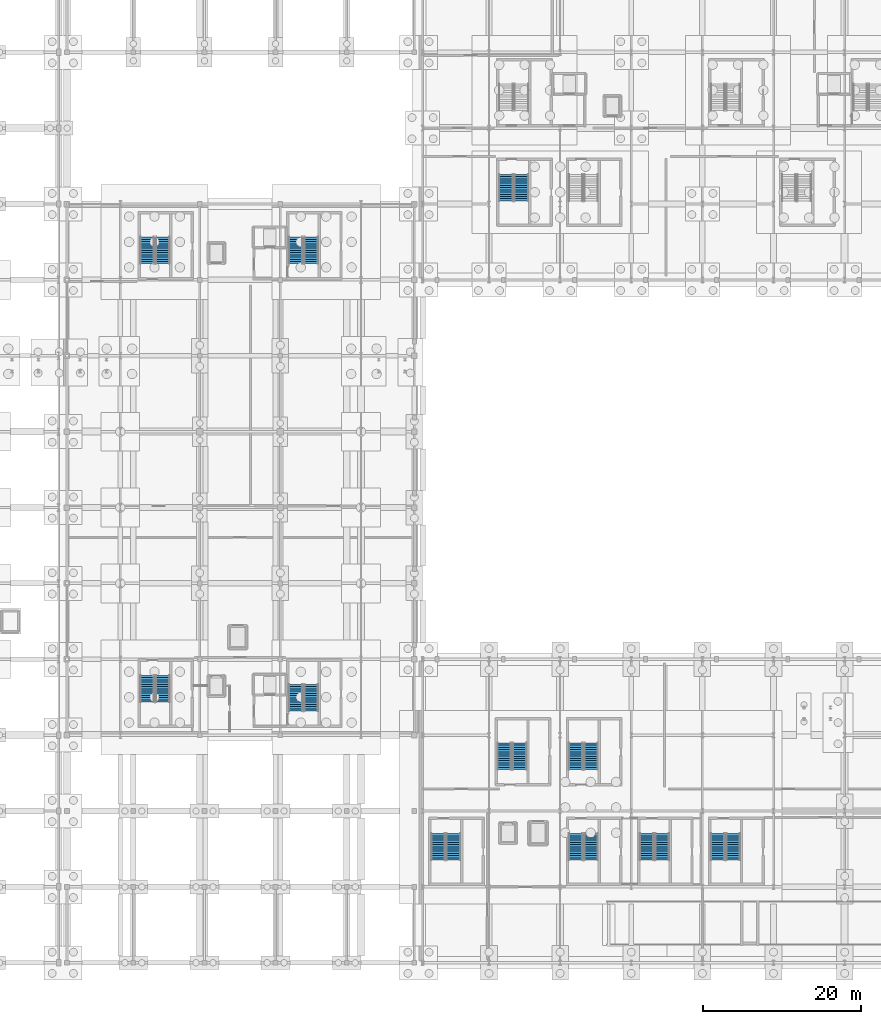
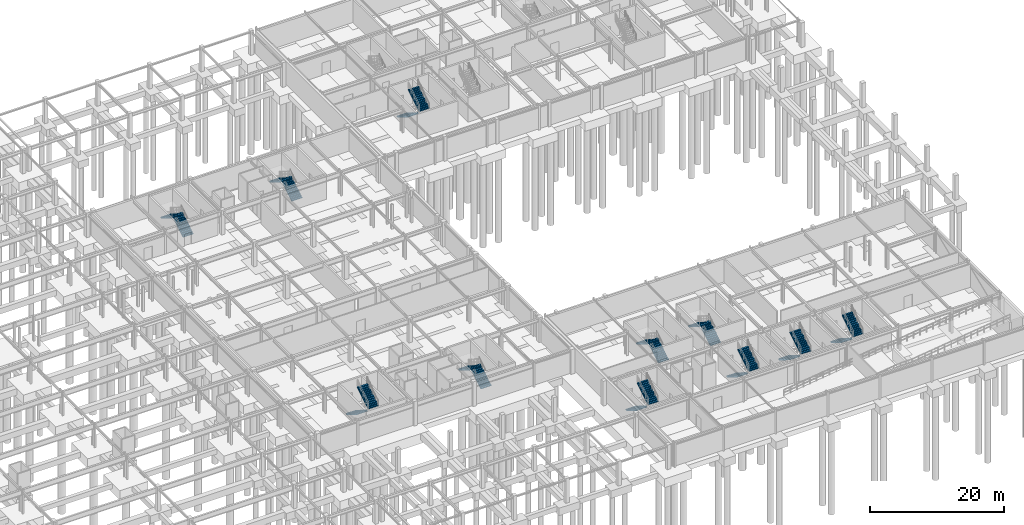
# One storey, part 47 of 59: 22 stair flights, 11 elements without a shape of their own.
"""IFC4 building model written with IfcOpenShell, lengths in metres."""

import ifcopenshell
import ifcopenshell.guid

model = None  # the IFC model being written
_history = None  # IfcOwnerHistory: only IFC2X3 demands one
_inside = {}  # id of a spatial element -> (the spatial element, [elements in it])
_under = {}  # id of a project, library or spatial element -> (it, [spatial elements below it])
_declared = {}  # id of a project -> (the project, [libraries it declares])
_typed = {}  # id of a type object -> (the type object, [elements of that type])
_made_of = {}  # id of a material, layer set ... -> (it, [elements and type objects made of it])


def new_model(schema):
    """Start an empty IFC model of exactly this schema.

    Asked for "IFC4X3", IfcOpenShell would pick the latest addendum, in which some entities
    have other attributes; the version numbers below select the first issue.
    IFC2X3 requires an IfcOwnerHistory on every rooted entity: one is made here for all.
    """
    global model, _history
    if schema == "IFC4X3":
        model = ifcopenshell.file(schema_version=(4, 3, 0, 0))
    else:
        model = ifcopenshell.file(schema=schema)
    _inside.clear()
    _under.clear()
    _declared.clear()
    _typed.clear()
    _made_of.clear()
    _history = None
    if model.schema == "IFC2X3":
        org = make("IfcOrganization", Name="unknown")
        user = make(
            "IfcPersonAndOrganization",
            ThePerson=make("IfcPerson", FamilyName="unknown"),
            TheOrganization=org,
        )
        app = make(
            "IfcApplication",
            ApplicationDeveloper=org,
            Version="unknown",
            ApplicationFullName="unknown",
            ApplicationIdentifier="unknown",
        )
        _history = make(
            "IfcOwnerHistory",
            OwningUser=user,
            OwningApplication=app,
            ChangeAction="ADDED",
            CreationDate=0,
        )
    return model


def make(cls, **values):
    """One entity of the class cls with the attributes given. An attribute that is None is left unset."""
    return model.create_entity(
        cls, **{name: value for name, value in values.items() if value is not None}
    )


def rooted(cls, **values):
    """An entity with a GlobalId (a new one), such as an element, a storey or a relation."""
    return make(cls, GlobalId=ifcopenshell.guid.new(), OwnerHistory=_history, **values)


def si_unit(unit_type, name, prefix=None):
    """IfcSIUnit, for example si_unit("LENGTHUNIT", "METRE", prefix="MILLI")."""
    return make("IfcSIUnit", UnitType=unit_type, Prefix=prefix, Name=name)


def assignment(units):
    """IfcUnitAssignment: the units of a project."""
    return None if units is None else make("IfcUnitAssignment", Units=units)


def point(xyz):
    """IfcCartesianPoint."""
    return None if xyz is None else make("IfcCartesianPoint", Coordinates=xyz)


def direction(xyz):
    """IfcDirection."""
    return None if xyz is None else make("IfcDirection", DirectionRatios=xyz)


def frame(location, z_axis=None, x_axis=None):
    """IfcAxis2Placement3D, a coordinate frame: its origin and axes. An axis left out is left unset."""
    return make(
        "IfcAxis2Placement3D",
        Location=point(location),
        Axis=direction(z_axis),
        RefDirection=direction(x_axis),
    )


def origin():
    """The frame at (0, 0, 0) with its axes left unset."""
    return frame((0.0, 0.0, 0.0))


def place(relative_to, where):
    """IfcLocalPlacement: puts the frame where relative to a parent placement (None: the world)."""
    return make(
        "IfcLocalPlacement", PlacementRelTo=relative_to, RelativePlacement=where
    )


def context(
    kind, dimensions, precision=None, world=None, true_north=None, identifier=None
):
    """IfcGeometricRepresentationContext, for example the 3D "Model" context."""
    return make(
        "IfcGeometricRepresentationContext",
        ContextIdentifier=identifier,
        ContextType=kind,
        CoordinateSpaceDimension=dimensions,
        Precision=precision,
        WorldCoordinateSystem=world,
        TrueNorth=true_north,
    )


def subcontext(parent, identifier, kind, view, scale=None):
    """IfcGeometricRepresentationSubContext, for example "Body" below "Model"."""
    return make(
        "IfcGeometricRepresentationSubContext",
        ContextIdentifier=identifier,
        ContextType=kind,
        ParentContext=parent,
        TargetScale=scale,
        TargetView=view,
    )


def project(units=None, contexts=None):
    """IfcProject with its units and contexts."""
    return rooted(
        "IfcProject",
        Name="project",
        RepresentationContexts=contexts,
        UnitsInContext=assignment(units),
    )


def spatial(cls, under=None, at=None, **own):
    """A site, building, storey or space (cls), placed at a placement, below another one or the project."""
    s = rooted(cls, ObjectPlacement=at, **own)
    if under is not None:
        _under.setdefault(under.id(), (under, []))[1].append(s)
    return s


def polyline(points):
    """IfcPolyline through the points."""
    return make("IfcPolyline", Points=[point(p) for p in points])


def outline(outer, holes=None, kind="AREA"):
    """IfcArbitraryClosedProfileDef: a profile drawn as a closed curve; with holes, ...WithVoids."""
    if holes is None:
        return make("IfcArbitraryClosedProfileDef", ProfileType=kind, OuterCurve=outer)
    return make(
        "IfcArbitraryProfileDefWithVoids",
        ProfileType=kind,
        OuterCurve=outer,
        InnerCurves=holes,
    )


def extrude(swept, where, along, depth):
    """IfcExtrudedAreaSolid: the profile swept, set in the frame where, extruded along a direction by depth."""
    return make(
        "IfcExtrudedAreaSolid",
        SweptArea=swept,
        Position=where,
        ExtrudedDirection=direction(along),
        Depth=depth,
    )


def shape(context_of_items, identifier, shape_type, items):
    """IfcShapeRepresentation: the items that make up one representation, for example the "Body"."""
    return make(
        "IfcShapeRepresentation",
        ContextOfItems=context_of_items,
        RepresentationIdentifier=identifier,
        RepresentationType=shape_type,
        Items=items,
    )


def material(Name=None, Category=None):
    """IfcMaterial."""
    return make("IfcMaterial", Name=Name, Category=Category)


def made_of(thing, what):
    """Note that an element or type object is made of a material, layer set ...; save() writes the relation."""
    if what is not None:
        _made_of.setdefault(what.id(), (what, []))[1].append(thing)
    return thing


def type_object(cls, material=None, **own):
    """A type object (cls), such as IfcWallType, which elements share."""
    return made_of(rooted(cls, **own), material)


def element(
    cls,
    number,
    at=None,
    inside=None,
    cuts=None,
    type_object=None,
    material=None,
    context=None,
    identifier="Body",
    shape_type=None,
    held_by="IfcProductDefinitionShape",
    body=None,
    shapes=None,
    **own,
):
    """One element of the class cls, such as IfcWall. Its Tag is "e" and its number.

    at: its placement. inside: the storey or other place that contains it. cuts: it is an
    opening in that element (IfcRelVoidsElement). A single representation is given by context,
    identifier, shape_type and body (its items); several are given by shapes. held_by: the class
    of the entity that holds the representations. save() writes the other relations.
    """
    e = rooted(cls, Tag="e%d" % number, ObjectPlacement=at, **own)
    if body is not None:
        shapes = [shape(context, identifier, shape_type, body)]
    if shapes is not None:
        e.Representation = make(held_by, Representations=shapes)
    if inside is not None:
        _inside.setdefault(inside.id(), (inside, []))[1].append(e)
    if cuts is not None:
        rooted(
            "IfcRelVoidsElement", RelatingBuildingElement=cuts, RelatedOpeningElement=e
        )
    if type_object is not None:
        _typed.setdefault(type_object.id(), (type_object, []))[1].append(e)
    return made_of(e, material)


def aggregate(whole, parts):
    """IfcRelAggregates: a whole, such as a stair, and the parts it consists of."""
    return rooted("IfcRelAggregates", RelatingObject=whole, RelatedObjects=parts)


def save(model, path):
    """Write the relations noted so far, then the file.

    IfcRelAggregates (storeys below a building ...), IfcRelContainedInSpatialStructure (elements
    in a storey), IfcRelDefinesByType, IfcRelAssociatesMaterial and IfcRelDeclares: one each for
    every whole, place, type object, material and project.
    """
    for whole, parts in _under.values():
        aggregate(whole, parts)
    for where, things in _inside.values():
        rooted(
            "IfcRelContainedInSpatialStructure",
            RelatedElements=things,
            RelatingStructure=where,
        )
    for kind, things in _typed.values():
        rooted("IfcRelDefinesByType", RelatedObjects=things, RelatingType=kind)
    for what, things in _made_of.values():
        rooted("IfcRelAssociatesMaterial", RelatedObjects=things, RelatingMaterial=what)
    for by, libraries in _declared.values():
        rooted("IfcRelDeclares", RelatingContext=by, RelatedDefinitions=libraries)
    model.write(path)


model = new_model("IFC4")

# Units and contexts
model_context = context("Model", 3, precision=1e-05, world=origin(), true_north=direction((0.0, 1.0)))
body_context = subcontext(model_context, "Body", "Model", "MODEL_VIEW")
ifc_project = project(units=[si_unit("LENGTHUNIT", "METRE"), si_unit("AREAUNIT", "SQUARE_METRE"), si_unit("VOLUMEUNIT", "CUBIC_METRE"), si_unit("PLANEANGLEUNIT", "RADIAN"), si_unit("MASSUNIT", "GRAM", prefix="KILO")], contexts=[model_context])

# Site, building, storey
site_placement = place(None, origin())
site = spatial("IfcSite", under=ifc_project, at=site_placement, CompositionType="ELEMENT")
building_placement = place(site_placement, origin())
building = spatial("IfcBuilding", under=site, at=building_placement, Name="Myrtia Square Station", CompositionType="ELEMENT")
storey_placement = place(building_placement, frame((0.0, 0.0, -4.5)))
storey = spatial("IfcBuildingStorey", under=building, at=storey_placement, Name="B01", CompositionType="ELEMENT", Elevation=-4.5)

# Stair, stair flights
ifc_material = material(Name="Concrete C35/45", Category="concrete")
stair_type = type_object("IfcStairType", Name="STR-01-26R-1800W", PredefinedType="HALF_TURN_STAIR", material=ifc_material)
stair_1_placement = place(storey_placement, origin())
stair_1 = element("IfcStair", 1, at=stair_1_placement, inside=storey, type_object=stair_type, Name="B01 Core escape stair ST01", PredefinedType="HALF_TURN_STAIR")
stair_flight_type = type_object("IfcStairFlightType", Name="STF-01-13R-1800W", PredefinedType="STRAIGHT", material=ifc_material)
stair_flight_1_placement = place(storey_placement, frame((82.75, 36.35009765625, 0.0), z_axis=(0.0, 0.0, 1.0), x_axis=(0.0, -1.0, 0.0)))
stair_flight_1 = element("IfcStairFlight", 2, at=stair_flight_1_placement, type_object=stair_flight_type, Name="ST01 flight 1", NumberOfRisers=13, NumberOfTreads=12, PredefinedType="STRAIGHT", RiserHeight=0.173076923, TreadLength=0.28, context=body_context, shape_type="SweptSolid", body=[
    extrude(outline(polyline([(0.0, 0.0), (0.0, 0.173095703125), (0.280029296875, 0.173095703125), (0.280029296875, 0.34619140625), (0.56005859375, 0.34619140625), (0.56005859375, 0.519287109375), (0.840087890625, 0.519287109375), (0.840087890625, 0.6923828125), (1.1201171875, 0.6923828125), (1.1201171875, 0.865478515625), (1.39990234375, 0.865478515625), (1.39990234375, 1.03857421875), (1.679931640625, 1.03857421875), (1.679931640625, 1.21142578125), (1.9599609375, 1.21142578125), (1.9599609375, 1.384521484375), (2.239990234375, 1.384521484375), (2.239990234375, 1.5576171875), (2.52001953125, 1.5576171875), (2.52001953125, 1.730712890625), (2.800048828125, 1.730712890625), (2.800048828125, 1.90380859375), (3.080078125, 1.90380859375), (3.080078125, 2.076904296875), (3.360107421875, 2.076904296875), (3.360107421875, 2.25), (3.360107421875, 1.900634765625), (0.28515625, 0.0), (0.0, 0.0)])), frame((0.0, 0.89990234375, 0.0), z_axis=(0.0, -1.0, 0.0), x_axis=(1.0, 0.0, 0.0)), (0.0, 0.0, 1.0), 1.800048828125),
])
stair_flight_2_placement = place(storey_placement, frame((84.7099609375, 32.989990234375, 2.25), z_axis=(0.0, 0.0, 1.0), x_axis=(0.0, 1.0, 0.0)))
stair_flight_2 = element("IfcStairFlight", 3, at=stair_flight_2_placement, type_object=stair_flight_type, Name="ST01 flight 2", NumberOfRisers=13, NumberOfTreads=12, PredefinedType="STRAIGHT", RiserHeight=0.173076923, TreadLength=0.28, context=body_context, shape_type="SweptSolid", body=[
    extrude(outline(polyline([(0.0, 0.0), (0.0, 0.173095703125), (0.280029296875, 0.173095703125), (0.280029296875, 0.34619140625), (0.56005859375, 0.34619140625), (0.56005859375, 0.519287109375), (0.840087890625, 0.519287109375), (0.840087890625, 0.6923828125), (1.1201171875, 0.6923828125), (1.1201171875, 0.865478515625), (1.39990234375, 0.865478515625), (1.39990234375, 1.03857421875), (1.679931640625, 1.03857421875), (1.679931640625, 1.21142578125), (1.9599609375, 1.21142578125), (1.9599609375, 1.384521484375), (2.239990234375, 1.384521484375), (2.239990234375, 1.5576171875), (2.52001953125, 1.5576171875), (2.52001953125, 1.730712890625), (2.800048828125, 1.730712890625), (2.800048828125, 1.90380859375), (3.080078125, 1.90380859375), (3.080078125, 2.076904296875), (3.360107421875, 2.076904296875), (3.360107421875, 2.25), (3.360107421875, 1.900634765625), (0.28515625, 0.0), (0.0, 0.0)])), frame((0.0, 0.89990234375, 0.0), z_axis=(0.0, -1.0, 0.0), x_axis=(1.0, 0.0, 0.0)), (0.0, 0.0, 1.0), 1.800048828125),
])
aggregate(stair_1, [stair_flight_1, stair_flight_2])

stair_2_placement = place(storey_placement, origin())
stair_2 = element("IfcStair", 4, at=stair_2_placement, inside=storey, type_object=stair_type, Name="B01 Core escape stair ST02", PredefinedType="HALF_TURN_STAIR")
stair_flight_3_placement = place(storey_placement, frame((84.7099609375, 88.449951171875, 0.0), z_axis=(0.0, 0.0, 1.0), x_axis=(0.0, 1.0, 0.0)))
stair_flight_3 = element("IfcStairFlight", 5, at=stair_flight_3_placement, type_object=stair_flight_type, Name="ST02 flight 1", NumberOfRisers=13, NumberOfTreads=12, PredefinedType="STRAIGHT", RiserHeight=0.173076923, TreadLength=0.28, context=body_context, shape_type="SweptSolid", body=[
    extrude(outline(polyline([(0.0, 0.0), (0.0, 0.173095703125), (0.280029296875, 0.173095703125), (0.280029296875, 0.34619140625), (0.56005859375, 0.34619140625), (0.56005859375, 0.519287109375), (0.840087890625, 0.519287109375), (0.840087890625, 0.6923828125), (1.1201171875, 0.6923828125), (1.1201171875, 0.865478515625), (1.39990234375, 0.865478515625), (1.39990234375, 1.03857421875), (1.679931640625, 1.03857421875), (1.679931640625, 1.21142578125), (1.9599609375, 1.21142578125), (1.9599609375, 1.384521484375), (2.239990234375, 1.384521484375), (2.239990234375, 1.5576171875), (2.52001953125, 1.5576171875), (2.52001953125, 1.730712890625), (2.800048828125, 1.730712890625), (2.800048828125, 1.90380859375), (3.080078125, 1.90380859375), (3.080078125, 2.076904296875), (3.360107421875, 2.076904296875), (3.360107421875, 2.25), (3.360107421875, 1.900634765625), (0.28515625, 0.0), (0.0, 0.0)])), frame((0.0, 0.89990234375, 0.0), z_axis=(0.0, -1.0, 0.0), x_axis=(1.0, 0.0, 0.0)), (0.0, 0.0, 1.0), 1.800048828125),
])
stair_flight_4_placement = place(storey_placement, frame((82.75, 91.81005859375, 2.25), z_axis=(0.0, 0.0, 1.0), x_axis=(0.0, -1.0, 0.0)))
stair_flight_4 = element("IfcStairFlight", 6, at=stair_flight_4_placement, type_object=stair_flight_type, Name="ST02 flight 2", NumberOfRisers=13, NumberOfTreads=12, PredefinedType="STRAIGHT", RiserHeight=0.173076923, TreadLength=0.28, context=body_context, shape_type="SweptSolid", body=[
    extrude(outline(polyline([(0.0, 0.0), (0.0, 0.173095703125), (0.280029296875, 0.173095703125), (0.280029296875, 0.34619140625), (0.56005859375, 0.34619140625), (0.56005859375, 0.519287109375), (0.840087890625, 0.519287109375), (0.840087890625, 0.6923828125), (1.1201171875, 0.6923828125), (1.1201171875, 0.865478515625), (1.39990234375, 0.865478515625), (1.39990234375, 1.03857421875), (1.679931640625, 1.03857421875), (1.679931640625, 1.21142578125), (1.9599609375, 1.21142578125), (1.9599609375, 1.384521484375), (2.239990234375, 1.384521484375), (2.239990234375, 1.5576171875), (2.52001953125, 1.5576171875), (2.52001953125, 1.730712890625), (2.800048828125, 1.730712890625), (2.800048828125, 1.90380859375), (3.080078125, 1.90380859375), (3.080078125, 2.076904296875), (3.360107421875, 2.076904296875), (3.360107421875, 2.25), (3.360107421875, 1.900634765625), (0.28515625, 0.0), (0.0, 0.0)])), frame((0.0, 0.89990234375, 0.0), z_axis=(0.0, -1.0, 0.0), x_axis=(1.0, 0.0, 0.0)), (0.0, 0.0, 1.0), 1.800048828125),
])
aggregate(stair_2, [stair_flight_3, stair_flight_4])

stair_3_placement = place(storey_placement, origin())
stair_3 = element("IfcStair", 7, at=stair_3_placement, inside=storey, type_object=stair_type, Name="B01 Core escape stair ST03", PredefinedType="HALF_TURN_STAIR")
stair_flight_5_placement = place(storey_placement, frame((103.510009765625, 31.85009765625, 0.0), z_axis=(0.0, 0.0, 1.0), x_axis=(0.0, 1.0, 0.0)))
stair_flight_5 = element("IfcStairFlight", 8, at=stair_flight_5_placement, type_object=stair_flight_type, Name="ST03 flight 1", NumberOfRisers=13, NumberOfTreads=12, PredefinedType="STRAIGHT", RiserHeight=0.173076923, TreadLength=0.28, context=body_context, shape_type="SweptSolid", body=[
    extrude(outline(polyline([(0.0, 0.0), (0.0, 0.173095703125), (0.280029296875, 0.173095703125), (0.280029296875, 0.34619140625), (0.56005859375, 0.34619140625), (0.56005859375, 0.519287109375), (0.840087890625, 0.519287109375), (0.840087890625, 0.6923828125), (1.1201171875, 0.6923828125), (1.1201171875, 0.865478515625), (1.39990234375, 0.865478515625), (1.39990234375, 1.03857421875), (1.679931640625, 1.03857421875), (1.679931640625, 1.21142578125), (1.9599609375, 1.21142578125), (1.9599609375, 1.384521484375), (2.239990234375, 1.384521484375), (2.239990234375, 1.5576171875), (2.52001953125, 1.5576171875), (2.52001953125, 1.730712890625), (2.800048828125, 1.730712890625), (2.800048828125, 1.90380859375), (3.080078125, 1.90380859375), (3.080078125, 2.076904296875), (3.360107421875, 2.076904296875), (3.360107421875, 2.25), (3.360107421875, 1.900634765625), (0.28515625, 0.0), (0.0, 0.0)])), frame((0.0, 0.89990234375, 0.0), z_axis=(0.0, -1.0, 0.0), x_axis=(1.0, 0.0, 0.0)), (0.0, 0.0, 1.0), 1.800048828125),
])
stair_flight_6_placement = place(storey_placement, frame((101.550048828125, 35.2099609375, 2.25), z_axis=(0.0, 0.0, 1.0), x_axis=(0.0, -1.0, 0.0)))
stair_flight_6 = element("IfcStairFlight", 9, at=stair_flight_6_placement, type_object=stair_flight_type, Name="ST03 flight 2", NumberOfRisers=13, NumberOfTreads=12, PredefinedType="STRAIGHT", RiserHeight=0.173076923, TreadLength=0.28, context=body_context, shape_type="SweptSolid", body=[
    extrude(outline(polyline([(0.0, 0.0), (0.0, 0.173095703125), (0.280029296875, 0.173095703125), (0.280029296875, 0.34619140625), (0.56005859375, 0.34619140625), (0.56005859375, 0.519287109375), (0.840087890625, 0.519287109375), (0.840087890625, 0.6923828125), (1.1201171875, 0.6923828125), (1.1201171875, 0.865478515625), (1.39990234375, 0.865478515625), (1.39990234375, 1.03857421875), (1.679931640625, 1.03857421875), (1.679931640625, 1.21142578125), (1.9599609375, 1.21142578125), (1.9599609375, 1.384521484375), (2.239990234375, 1.384521484375), (2.239990234375, 1.5576171875), (2.52001953125, 1.5576171875), (2.52001953125, 1.730712890625), (2.800048828125, 1.730712890625), (2.800048828125, 1.90380859375), (3.080078125, 1.90380859375), (3.080078125, 2.076904296875), (3.360107421875, 2.076904296875), (3.360107421875, 2.25), (3.360107421875, 1.900634765625), (0.28515625, 0.0), (0.0, 0.0)])), frame((0.0, 0.89990234375, 0.0), z_axis=(0.0, -1.0, 0.0), x_axis=(1.0, 0.0, 0.0)), (0.0, 0.0, 1.0), 1.800048828125),
])
aggregate(stair_3, [stair_flight_5, stair_flight_6])

stair_4_placement = place(storey_placement, origin())
stair_4 = element("IfcStair", 10, at=stair_4_placement, inside=storey, type_object=stair_type, Name="B01 Core escape stair ST04", PredefinedType="HALF_TURN_STAIR")
stair_flight_7_placement = place(storey_placement, frame((103.510009765625, 88.449951171875, 0.0), z_axis=(0.0, 0.0, 1.0), x_axis=(0.0, 1.0, 0.0)))
stair_flight_7 = element("IfcStairFlight", 11, at=stair_flight_7_placement, type_object=stair_flight_type, Name="ST04 flight 1", NumberOfRisers=13, NumberOfTreads=12, PredefinedType="STRAIGHT", RiserHeight=0.173076923, TreadLength=0.28, context=body_context, shape_type="SweptSolid", body=[
    extrude(outline(polyline([(0.0, 0.0), (0.0, 0.173095703125), (0.280029296875, 0.173095703125), (0.280029296875, 0.34619140625), (0.56005859375, 0.34619140625), (0.56005859375, 0.519287109375), (0.840087890625, 0.519287109375), (0.840087890625, 0.6923828125), (1.1201171875, 0.6923828125), (1.1201171875, 0.865478515625), (1.39990234375, 0.865478515625), (1.39990234375, 1.03857421875), (1.679931640625, 1.03857421875), (1.679931640625, 1.21142578125), (1.9599609375, 1.21142578125), (1.9599609375, 1.384521484375), (2.239990234375, 1.384521484375), (2.239990234375, 1.5576171875), (2.52001953125, 1.5576171875), (2.52001953125, 1.730712890625), (2.800048828125, 1.730712890625), (2.800048828125, 1.90380859375), (3.080078125, 1.90380859375), (3.080078125, 2.076904296875), (3.360107421875, 2.076904296875), (3.360107421875, 2.25), (3.360107421875, 1.900634765625), (0.28515625, 0.0), (0.0, 0.0)])), frame((0.0, 0.89990234375, 0.0), z_axis=(0.0, -1.0, 0.0), x_axis=(1.0, 0.0, 0.0)), (0.0, 0.0, 1.0), 1.800048828125),
])
stair_flight_8_placement = place(storey_placement, frame((101.550048828125, 91.81005859375, 2.25), z_axis=(0.0, 0.0, 1.0), x_axis=(0.0, -1.0, 0.0)))
stair_flight_8 = element("IfcStairFlight", 12, at=stair_flight_8_placement, type_object=stair_flight_type, Name="ST04 flight 2", NumberOfRisers=13, NumberOfTreads=12, PredefinedType="STRAIGHT", RiserHeight=0.173076923, TreadLength=0.28, context=body_context, shape_type="SweptSolid", body=[
    extrude(outline(polyline([(0.0, 0.0), (0.0, 0.173095703125), (0.280029296875, 0.173095703125), (0.280029296875, 0.34619140625), (0.56005859375, 0.34619140625), (0.56005859375, 0.519287109375), (0.840087890625, 0.519287109375), (0.840087890625, 0.6923828125), (1.1201171875, 0.6923828125), (1.1201171875, 0.865478515625), (1.39990234375, 0.865478515625), (1.39990234375, 1.03857421875), (1.679931640625, 1.03857421875), (1.679931640625, 1.21142578125), (1.9599609375, 1.21142578125), (1.9599609375, 1.384521484375), (2.239990234375, 1.384521484375), (2.239990234375, 1.5576171875), (2.52001953125, 1.5576171875), (2.52001953125, 1.730712890625), (2.800048828125, 1.730712890625), (2.800048828125, 1.90380859375), (3.080078125, 1.90380859375), (3.080078125, 2.076904296875), (3.360107421875, 2.076904296875), (3.360107421875, 2.25), (3.360107421875, 1.900634765625), (0.28515625, 0.0), (0.0, 0.0)])), frame((0.0, 0.89990234375, 0.0), z_axis=(0.0, -1.0, 0.0), x_axis=(1.0, 0.0, 0.0)), (0.0, 0.0, 1.0), 1.800048828125),
])
aggregate(stair_4, [stair_flight_7, stair_flight_8])

stair_5_placement = place(storey_placement, origin())
stair_5 = element("IfcStair", 13, at=stair_5_placement, inside=storey, type_object=stair_type, Name="B01 Core escape stair ST05", PredefinedType="HALF_TURN_STAIR")
stair_flight_9_placement = place(storey_placement, frame((119.550048828125, 16.35009765625, 0.0), z_axis=(0.0, 0.0, 1.0), x_axis=(0.0, -1.0, 0.0)))
stair_flight_9 = element("IfcStairFlight", 14, at=stair_flight_9_placement, type_object=stair_flight_type, Name="ST05 flight 1", NumberOfRisers=13, NumberOfTreads=12, PredefinedType="STRAIGHT", RiserHeight=0.173076923, TreadLength=0.28, context=body_context, shape_type="SweptSolid", body=[
    extrude(outline(polyline([(0.0, 0.0), (0.0, 0.173095703125), (0.280029296875, 0.173095703125), (0.280029296875, 0.34619140625), (0.56005859375, 0.34619140625), (0.56005859375, 0.519287109375), (0.840087890625, 0.519287109375), (0.840087890625, 0.6923828125), (1.1201171875, 0.6923828125), (1.1201171875, 0.865478515625), (1.39990234375, 0.865478515625), (1.39990234375, 1.03857421875), (1.679931640625, 1.03857421875), (1.679931640625, 1.21142578125), (1.9599609375, 1.21142578125), (1.9599609375, 1.384521484375), (2.239990234375, 1.384521484375), (2.239990234375, 1.5576171875), (2.52001953125, 1.5576171875), (2.52001953125, 1.730712890625), (2.800048828125, 1.730712890625), (2.800048828125, 1.90380859375), (3.080078125, 1.90380859375), (3.080078125, 2.076904296875), (3.360107421875, 2.076904296875), (3.360107421875, 2.25), (3.360107421875, 1.900634765625), (0.28515625, 0.0), (0.0, 0.0)])), frame((0.0, 0.89990234375, 0.0), z_axis=(0.0, -1.0, 0.0), x_axis=(1.0, 0.0, 0.0)), (0.0, 0.0, 1.0), 1.800048828125),
])
stair_flight_10_placement = place(storey_placement, frame((121.510009765625, 12.989990234375, 2.25), z_axis=(0.0, 0.0, 1.0), x_axis=(0.0, 1.0, 0.0)))
stair_flight_10 = element("IfcStairFlight", 15, at=stair_flight_10_placement, type_object=stair_flight_type, Name="ST05 flight 2", NumberOfRisers=13, NumberOfTreads=12, PredefinedType="STRAIGHT", RiserHeight=0.173076923, TreadLength=0.28, context=body_context, shape_type="SweptSolid", body=[
    extrude(outline(polyline([(0.0, 0.0), (0.0, 0.173095703125), (0.280029296875, 0.173095703125), (0.280029296875, 0.34619140625), (0.56005859375, 0.34619140625), (0.56005859375, 0.519287109375), (0.840087890625, 0.519287109375), (0.840087890625, 0.6923828125), (1.1201171875, 0.6923828125), (1.1201171875, 0.865478515625), (1.39990234375, 0.865478515625), (1.39990234375, 1.03857421875), (1.679931640625, 1.03857421875), (1.679931640625, 1.21142578125), (1.9599609375, 1.21142578125), (1.9599609375, 1.384521484375), (2.239990234375, 1.384521484375), (2.239990234375, 1.5576171875), (2.52001953125, 1.5576171875), (2.52001953125, 1.730712890625), (2.800048828125, 1.730712890625), (2.800048828125, 1.90380859375), (3.080078125, 1.90380859375), (3.080078125, 2.076904296875), (3.360107421875, 2.076904296875), (3.360107421875, 2.25), (3.360107421875, 1.900634765625), (0.28515625, 0.0), (0.0, 0.0)])), frame((0.0, 0.89990234375, 0.0), z_axis=(0.0, -1.0, 0.0), x_axis=(1.0, 0.0, 0.0)), (0.0, 0.0, 1.0), 1.800048828125),
])
aggregate(stair_5, [stair_flight_9, stair_flight_10])

stair_6_placement = place(storey_placement, origin())
stair_6 = element("IfcStair", 16, at=stair_6_placement, inside=storey, type_object=stair_type, Name="B01 Core escape stair ST06", PredefinedType="HALF_TURN_STAIR")
stair_flight_11_placement = place(storey_placement, frame((136.949951171875, 16.35009765625, 0.0), z_axis=(0.0, 0.0, 1.0), x_axis=(0.0, -1.0, 0.0)))
stair_flight_11 = element("IfcStairFlight", 17, at=stair_flight_11_placement, type_object=stair_flight_type, Name="ST06 flight 1", NumberOfRisers=13, NumberOfTreads=12, PredefinedType="STRAIGHT", RiserHeight=0.173076923, TreadLength=0.28, context=body_context, shape_type="SweptSolid", body=[
    extrude(outline(polyline([(0.0, 0.0), (0.0, 0.173095703125), (0.280029296875, 0.173095703125), (0.280029296875, 0.34619140625), (0.56005859375, 0.34619140625), (0.56005859375, 0.519287109375), (0.840087890625, 0.519287109375), (0.840087890625, 0.6923828125), (1.1201171875, 0.6923828125), (1.1201171875, 0.865478515625), (1.39990234375, 0.865478515625), (1.39990234375, 1.03857421875), (1.679931640625, 1.03857421875), (1.679931640625, 1.21142578125), (1.9599609375, 1.21142578125), (1.9599609375, 1.384521484375), (2.239990234375, 1.384521484375), (2.239990234375, 1.5576171875), (2.52001953125, 1.5576171875), (2.52001953125, 1.730712890625), (2.800048828125, 1.730712890625), (2.800048828125, 1.90380859375), (3.080078125, 1.90380859375), (3.080078125, 2.076904296875), (3.360107421875, 2.076904296875), (3.360107421875, 2.25), (3.360107421875, 1.900634765625), (0.28515625, 0.0), (0.0, 0.0)])), frame((0.0, 0.89990234375, 0.0), z_axis=(0.0, -1.0, 0.0), x_axis=(1.0, 0.0, 0.0)), (0.0, 0.0, 1.0), 1.800048828125),
])
stair_flight_12_placement = place(storey_placement, frame((138.909912109375, 12.989990234375, 2.25), z_axis=(0.0, 0.0, 1.0), x_axis=(0.0, 1.0, 0.0)))
stair_flight_12 = element("IfcStairFlight", 18, at=stair_flight_12_placement, type_object=stair_flight_type, Name="ST06 flight 2", NumberOfRisers=13, NumberOfTreads=12, PredefinedType="STRAIGHT", RiserHeight=0.173076923, TreadLength=0.28, context=body_context, shape_type="SweptSolid", body=[
    extrude(outline(polyline([(0.0, 0.0), (0.0, 0.173095703125), (0.280029296875, 0.173095703125), (0.280029296875, 0.34619140625), (0.56005859375, 0.34619140625), (0.56005859375, 0.519287109375), (0.840087890625, 0.519287109375), (0.840087890625, 0.6923828125), (1.1201171875, 0.6923828125), (1.1201171875, 0.865478515625), (1.39990234375, 0.865478515625), (1.39990234375, 1.03857421875), (1.679931640625, 1.03857421875), (1.679931640625, 1.21142578125), (1.9599609375, 1.21142578125), (1.9599609375, 1.384521484375), (2.239990234375, 1.384521484375), (2.239990234375, 1.5576171875), (2.52001953125, 1.5576171875), (2.52001953125, 1.730712890625), (2.800048828125, 1.730712890625), (2.800048828125, 1.90380859375), (3.080078125, 1.90380859375), (3.080078125, 2.076904296875), (3.360107421875, 2.076904296875), (3.360107421875, 2.25), (3.360107421875, 1.900634765625), (0.28515625, 0.0), (0.0, 0.0)])), frame((0.0, 0.89990234375, 0.0), z_axis=(0.0, -1.0, 0.0), x_axis=(1.0, 0.0, 0.0)), (0.0, 0.0, 1.0), 1.800048828125),
])
aggregate(stair_6, [stair_flight_11, stair_flight_12])

stair_7_placement = place(storey_placement, origin())
stair_7 = element("IfcStair", 19, at=stair_7_placement, inside=storey, type_object=stair_type, Name="B01 Core escape stair ST09", PredefinedType="HALF_TURN_STAIR")
stair_flight_13_placement = place(storey_placement, frame((138.909912109375, 24.449951171875, 0.0), z_axis=(0.0, 0.0, 1.0), x_axis=(0.0, 1.0, 0.0)))
stair_flight_13 = element("IfcStairFlight", 20, at=stair_flight_13_placement, type_object=stair_flight_type, Name="ST09 flight 1", NumberOfRisers=13, NumberOfTreads=12, PredefinedType="STRAIGHT", RiserHeight=0.173076923, TreadLength=0.28, context=body_context, shape_type="SweptSolid", body=[
    extrude(outline(polyline([(0.0, 0.0), (0.0, 0.173095703125), (0.280029296875, 0.173095703125), (0.280029296875, 0.34619140625), (0.56005859375, 0.34619140625), (0.56005859375, 0.519287109375), (0.840087890625, 0.519287109375), (0.840087890625, 0.6923828125), (1.1201171875, 0.6923828125), (1.1201171875, 0.865478515625), (1.39990234375, 0.865478515625), (1.39990234375, 1.03857421875), (1.679931640625, 1.03857421875), (1.679931640625, 1.21142578125), (1.9599609375, 1.21142578125), (1.9599609375, 1.384521484375), (2.239990234375, 1.384521484375), (2.239990234375, 1.5576171875), (2.52001953125, 1.5576171875), (2.52001953125, 1.730712890625), (2.800048828125, 1.730712890625), (2.800048828125, 1.90380859375), (3.080078125, 1.90380859375), (3.080078125, 2.076904296875), (3.360107421875, 2.076904296875), (3.360107421875, 2.25), (3.360107421875, 1.900634765625), (0.28515625, 0.0), (0.0, 0.0)])), frame((0.0, 0.89990234375, 0.0), z_axis=(0.0, -1.0, 0.0), x_axis=(1.0, 0.0, 0.0)), (0.0, 0.0, 1.0), 1.800048828125),
])
stair_flight_14_placement = place(storey_placement, frame((136.949951171875, 27.81005859375, 2.25), z_axis=(0.0, 0.0, 1.0), x_axis=(0.0, -1.0, 0.0)))
stair_flight_14 = element("IfcStairFlight", 21, at=stair_flight_14_placement, type_object=stair_flight_type, Name="ST09 flight 2", NumberOfRisers=13, NumberOfTreads=12, PredefinedType="STRAIGHT", RiserHeight=0.173076923, TreadLength=0.28, context=body_context, shape_type="SweptSolid", body=[
    extrude(outline(polyline([(0.0, 0.0), (0.0, 0.173095703125), (0.280029296875, 0.173095703125), (0.280029296875, 0.34619140625), (0.56005859375, 0.34619140625), (0.56005859375, 0.519287109375), (0.840087890625, 0.519287109375), (0.840087890625, 0.6923828125), (1.1201171875, 0.6923828125), (1.1201171875, 0.865478515625), (1.39990234375, 0.865478515625), (1.39990234375, 1.03857421875), (1.679931640625, 1.03857421875), (1.679931640625, 1.21142578125), (1.9599609375, 1.21142578125), (1.9599609375, 1.384521484375), (2.239990234375, 1.384521484375), (2.239990234375, 1.5576171875), (2.52001953125, 1.5576171875), (2.52001953125, 1.730712890625), (2.800048828125, 1.730712890625), (2.800048828125, 1.90380859375), (3.080078125, 1.90380859375), (3.080078125, 2.076904296875), (3.360107421875, 2.076904296875), (3.360107421875, 2.25), (3.360107421875, 1.900634765625), (0.28515625, 0.0), (0.0, 0.0)])), frame((0.0, 0.89990234375, 0.0), z_axis=(0.0, -1.0, 0.0), x_axis=(1.0, 0.0, 0.0)), (0.0, 0.0, 1.0), 1.800048828125),
])
aggregate(stair_7, [stair_flight_13, stair_flight_14])

stair_8_placement = place(storey_placement, origin())
stair_8 = element("IfcStair", 22, at=stair_8_placement, inside=storey, type_object=stair_type, Name="B01 Core escape stair ST10", PredefinedType="HALF_TURN_STAIR")
stair_flight_15_placement = place(storey_placement, frame((129.909912109375, 24.449951171875, 0.0), z_axis=(0.0, 0.0, 1.0), x_axis=(0.0, 1.0, 0.0)))
stair_flight_15 = element("IfcStairFlight", 23, at=stair_flight_15_placement, type_object=stair_flight_type, Name="ST10 flight 1", NumberOfRisers=13, NumberOfTreads=12, PredefinedType="STRAIGHT", RiserHeight=0.173076923, TreadLength=0.28, context=body_context, shape_type="SweptSolid", body=[
    extrude(outline(polyline([(0.0, 0.0), (0.0, 0.173095703125), (0.280029296875, 0.173095703125), (0.280029296875, 0.34619140625), (0.56005859375, 0.34619140625), (0.56005859375, 0.519287109375), (0.840087890625, 0.519287109375), (0.840087890625, 0.6923828125), (1.1201171875, 0.6923828125), (1.1201171875, 0.865478515625), (1.39990234375, 0.865478515625), (1.39990234375, 1.03857421875), (1.679931640625, 1.03857421875), (1.679931640625, 1.21142578125), (1.9599609375, 1.21142578125), (1.9599609375, 1.384521484375), (2.239990234375, 1.384521484375), (2.239990234375, 1.5576171875), (2.52001953125, 1.5576171875), (2.52001953125, 1.730712890625), (2.800048828125, 1.730712890625), (2.800048828125, 1.90380859375), (3.080078125, 1.90380859375), (3.080078125, 2.076904296875), (3.360107421875, 2.076904296875), (3.360107421875, 2.25), (3.360107421875, 1.900634765625), (0.28515625, 0.0), (0.0, 0.0)])), frame((0.0, 0.89990234375, 0.0), z_axis=(0.0, -1.0, 0.0), x_axis=(1.0, 0.0, 0.0)), (0.0, 0.0, 1.0), 1.800048828125),
])
stair_flight_16_placement = place(storey_placement, frame((127.949951171875, 27.81005859375, 2.25), z_axis=(0.0, 0.0, 1.0), x_axis=(0.0, -1.0, 0.0)))
stair_flight_16 = element("IfcStairFlight", 24, at=stair_flight_16_placement, type_object=stair_flight_type, Name="ST10 flight 2", NumberOfRisers=13, NumberOfTreads=12, PredefinedType="STRAIGHT", RiserHeight=0.173076923, TreadLength=0.28, context=body_context, shape_type="SweptSolid", body=[
    extrude(outline(polyline([(0.0, 0.0), (0.0, 0.173095703125), (0.280029296875, 0.173095703125), (0.280029296875, 0.34619140625), (0.56005859375, 0.34619140625), (0.56005859375, 0.519287109375), (0.840087890625, 0.519287109375), (0.840087890625, 0.6923828125), (1.1201171875, 0.6923828125), (1.1201171875, 0.865478515625), (1.39990234375, 0.865478515625), (1.39990234375, 1.03857421875), (1.679931640625, 1.03857421875), (1.679931640625, 1.21142578125), (1.9599609375, 1.21142578125), (1.9599609375, 1.384521484375), (2.239990234375, 1.384521484375), (2.239990234375, 1.5576171875), (2.52001953125, 1.5576171875), (2.52001953125, 1.730712890625), (2.800048828125, 1.730712890625), (2.800048828125, 1.90380859375), (3.080078125, 1.90380859375), (3.080078125, 2.076904296875), (3.360107421875, 2.076904296875), (3.360107421875, 2.25), (3.360107421875, 1.900634765625), (0.28515625, 0.0), (0.0, 0.0)])), frame((0.0, 0.89990234375, 0.0), z_axis=(0.0, -1.0, 0.0), x_axis=(1.0, 0.0, 0.0)), (0.0, 0.0, 1.0), 1.800048828125),
])
aggregate(stair_8, [stair_flight_15, stair_flight_16])

stair_9_placement = place(storey_placement, origin())
stair_9 = element("IfcStair", 25, at=stair_9_placement, inside=storey, type_object=stair_type, Name="B01 Core escape stair ST11", PredefinedType="HALF_TURN_STAIR")
stair_flight_17_placement = place(storey_placement, frame((145.949951171875, 16.35009765625, 0.0), z_axis=(0.0, 0.0, 1.0), x_axis=(0.0, -1.0, 0.0)))
stair_flight_17 = element("IfcStairFlight", 26, at=stair_flight_17_placement, type_object=stair_flight_type, Name="ST11 flight 1", NumberOfRisers=13, NumberOfTreads=12, PredefinedType="STRAIGHT", RiserHeight=0.173076923, TreadLength=0.28, context=body_context, shape_type="SweptSolid", body=[
    extrude(outline(polyline([(0.0, 0.0), (0.0, 0.173095703125), (0.280029296875, 0.173095703125), (0.280029296875, 0.34619140625), (0.56005859375, 0.34619140625), (0.56005859375, 0.519287109375), (0.840087890625, 0.519287109375), (0.840087890625, 0.6923828125), (1.1201171875, 0.6923828125), (1.1201171875, 0.865478515625), (1.39990234375, 0.865478515625), (1.39990234375, 1.03857421875), (1.679931640625, 1.03857421875), (1.679931640625, 1.21142578125), (1.9599609375, 1.21142578125), (1.9599609375, 1.384521484375), (2.239990234375, 1.384521484375), (2.239990234375, 1.5576171875), (2.52001953125, 1.5576171875), (2.52001953125, 1.730712890625), (2.800048828125, 1.730712890625), (2.800048828125, 1.90380859375), (3.080078125, 1.90380859375), (3.080078125, 2.076904296875), (3.360107421875, 2.076904296875), (3.360107421875, 2.25), (3.360107421875, 1.900634765625), (0.28515625, 0.0), (0.0, 0.0)])), frame((0.0, 0.89990234375, 0.0), z_axis=(0.0, -1.0, 0.0), x_axis=(1.0, 0.0, 0.0)), (0.0, 0.0, 1.0), 1.800048828125),
])
stair_flight_18_placement = place(storey_placement, frame((147.909912109375, 12.989990234375, 2.25), z_axis=(0.0, 0.0, 1.0), x_axis=(0.0, 1.0, 0.0)))
stair_flight_18 = element("IfcStairFlight", 27, at=stair_flight_18_placement, type_object=stair_flight_type, Name="ST11 flight 2", NumberOfRisers=13, NumberOfTreads=12, PredefinedType="STRAIGHT", RiserHeight=0.173076923, TreadLength=0.28, context=body_context, shape_type="SweptSolid", body=[
    extrude(outline(polyline([(0.0, 0.0), (0.0, 0.173095703125), (0.280029296875, 0.173095703125), (0.280029296875, 0.34619140625), (0.56005859375, 0.34619140625), (0.56005859375, 0.519287109375), (0.840087890625, 0.519287109375), (0.840087890625, 0.6923828125), (1.1201171875, 0.6923828125), (1.1201171875, 0.865478515625), (1.39990234375, 0.865478515625), (1.39990234375, 1.03857421875), (1.679931640625, 1.03857421875), (1.679931640625, 1.21142578125), (1.9599609375, 1.21142578125), (1.9599609375, 1.384521484375), (2.239990234375, 1.384521484375), (2.239990234375, 1.5576171875), (2.52001953125, 1.5576171875), (2.52001953125, 1.730712890625), (2.800048828125, 1.730712890625), (2.800048828125, 1.90380859375), (3.080078125, 1.90380859375), (3.080078125, 2.076904296875), (3.360107421875, 2.076904296875), (3.360107421875, 2.25), (3.360107421875, 1.900634765625), (0.28515625, 0.0), (0.0, 0.0)])), frame((0.0, 0.89990234375, 0.0), z_axis=(0.0, -1.0, 0.0), x_axis=(1.0, 0.0, 0.0)), (0.0, 0.0, 1.0), 1.800048828125),
])
aggregate(stair_9, [stair_flight_17, stair_flight_18])

stair_10_placement = place(storey_placement, origin())
stair_10 = element("IfcStair", 28, at=stair_10_placement, inside=storey, type_object=stair_type, Name="B01 Core escape stair ST14", PredefinedType="HALF_TURN_STAIR")
stair_flight_19_placement = place(storey_placement, frame((154.949951171875, 16.35009765625, 0.0), z_axis=(0.0, 0.0, 1.0), x_axis=(0.0, -1.0, 0.0)))
stair_flight_19 = element("IfcStairFlight", 29, at=stair_flight_19_placement, type_object=stair_flight_type, Name="ST14 flight 1", NumberOfRisers=13, NumberOfTreads=12, PredefinedType="STRAIGHT", RiserHeight=0.173076923, TreadLength=0.28, context=body_context, shape_type="SweptSolid", body=[
    extrude(outline(polyline([(0.0, 0.0), (0.0, 0.173095703125), (0.280029296875, 0.173095703125), (0.280029296875, 0.34619140625), (0.56005859375, 0.34619140625), (0.56005859375, 0.519287109375), (0.840087890625, 0.519287109375), (0.840087890625, 0.6923828125), (1.1201171875, 0.6923828125), (1.1201171875, 0.865478515625), (1.39990234375, 0.865478515625), (1.39990234375, 1.03857421875), (1.679931640625, 1.03857421875), (1.679931640625, 1.21142578125), (1.9599609375, 1.21142578125), (1.9599609375, 1.384521484375), (2.239990234375, 1.384521484375), (2.239990234375, 1.5576171875), (2.52001953125, 1.5576171875), (2.52001953125, 1.730712890625), (2.800048828125, 1.730712890625), (2.800048828125, 1.90380859375), (3.080078125, 1.90380859375), (3.080078125, 2.076904296875), (3.360107421875, 2.076904296875), (3.360107421875, 2.25), (3.360107421875, 1.900634765625), (0.28515625, 0.0), (0.0, 0.0)])), frame((0.0, 0.89990234375, 0.0), z_axis=(0.0, -1.0, 0.0), x_axis=(1.0, 0.0, 0.0)), (0.0, 0.0, 1.0), 1.800048828125),
])
stair_flight_20_placement = place(storey_placement, frame((156.909912109375, 12.989990234375, 2.25), z_axis=(0.0, 0.0, 1.0), x_axis=(0.0, 1.0, 0.0)))
stair_flight_20 = element("IfcStairFlight", 30, at=stair_flight_20_placement, type_object=stair_flight_type, Name="ST14 flight 2", NumberOfRisers=13, NumberOfTreads=12, PredefinedType="STRAIGHT", RiserHeight=0.173076923, TreadLength=0.28, context=body_context, shape_type="SweptSolid", body=[
    extrude(outline(polyline([(0.0, 0.0), (0.0, 0.173095703125), (0.280029296875, 0.173095703125), (0.280029296875, 0.34619140625), (0.56005859375, 0.34619140625), (0.56005859375, 0.519287109375), (0.840087890625, 0.519287109375), (0.840087890625, 0.6923828125), (1.1201171875, 0.6923828125), (1.1201171875, 0.865478515625), (1.39990234375, 0.865478515625), (1.39990234375, 1.03857421875), (1.679931640625, 1.03857421875), (1.679931640625, 1.21142578125), (1.9599609375, 1.21142578125), (1.9599609375, 1.384521484375), (2.239990234375, 1.384521484375), (2.239990234375, 1.5576171875), (2.52001953125, 1.5576171875), (2.52001953125, 1.730712890625), (2.800048828125, 1.730712890625), (2.800048828125, 1.90380859375), (3.080078125, 1.90380859375), (3.080078125, 2.076904296875), (3.360107421875, 2.076904296875), (3.360107421875, 2.25), (3.360107421875, 1.900634765625), (0.28515625, 0.0), (0.0, 0.0)])), frame((0.0, 0.89990234375, 0.0), z_axis=(0.0, -1.0, 0.0), x_axis=(1.0, 0.0, 0.0)), (0.0, 0.0, 1.0), 1.800048828125),
])
aggregate(stair_10, [stair_flight_19, stair_flight_20])

stair_11_placement = place(storey_placement, origin())
stair_11 = element("IfcStair", 31, at=stair_11_placement, inside=storey, type_object=stair_type, Name="B01 Core escape stair ST12", PredefinedType="HALF_TURN_STAIR")
stair_flight_21_placement = place(storey_placement, frame((128.14990234375, 99.75, 0.0), z_axis=(0.0, 0.0, 1.0), x_axis=(0.0, -1.0, 0.0)))
stair_flight_21 = element("IfcStairFlight", 32, at=stair_flight_21_placement, type_object=stair_flight_type, Name="ST12 flight 1", NumberOfRisers=13, NumberOfTreads=12, PredefinedType="STRAIGHT", RiserHeight=0.173076923, TreadLength=0.28, context=body_context, shape_type="SweptSolid", body=[
    extrude(outline(polyline([(0.0, 0.0), (0.0, 0.173095703125), (0.280029296875, 0.173095703125), (0.280029296875, 0.34619140625), (0.56005859375, 0.34619140625), (0.56005859375, 0.519287109375), (0.840087890625, 0.519287109375), (0.840087890625, 0.6923828125), (1.1201171875, 0.6923828125), (1.1201171875, 0.865478515625), (1.39990234375, 0.865478515625), (1.39990234375, 1.03857421875), (1.679931640625, 1.03857421875), (1.679931640625, 1.21142578125), (1.9599609375, 1.21142578125), (1.9599609375, 1.384521484375), (2.239990234375, 1.384521484375), (2.239990234375, 1.5576171875), (2.52001953125, 1.5576171875), (2.52001953125, 1.730712890625), (2.800048828125, 1.730712890625), (2.800048828125, 1.90380859375), (3.080078125, 1.90380859375), (3.080078125, 2.076904296875), (3.360107421875, 2.076904296875), (3.360107421875, 2.25), (3.360107421875, 1.900634765625), (0.28515625, 0.0), (0.0, 0.0)])), frame((0.0, 0.89990234375, 0.0), z_axis=(0.0, -1.0, 0.0), x_axis=(1.0, 0.0, 0.0)), (0.0, 0.0, 1.0), 1.800048828125),
])
stair_flight_22_placement = place(storey_placement, frame((130.110107421875, 96.389892578125, 2.25), z_axis=(0.0, 0.0, 1.0), x_axis=(0.0, 1.0, 0.0)))
stair_flight_22 = element("IfcStairFlight", 33, at=stair_flight_22_placement, type_object=stair_flight_type, Name="ST12 flight 2", NumberOfRisers=13, NumberOfTreads=12, PredefinedType="STRAIGHT", RiserHeight=0.173076923, TreadLength=0.28, context=body_context, shape_type="SweptSolid", body=[
    extrude(outline(polyline([(0.0, 0.0), (0.0, 0.173095703125), (0.280029296875, 0.173095703125), (0.280029296875, 0.34619140625), (0.56005859375, 0.34619140625), (0.56005859375, 0.519287109375), (0.840087890625, 0.519287109375), (0.840087890625, 0.6923828125), (1.1201171875, 0.6923828125), (1.1201171875, 0.865478515625), (1.39990234375, 0.865478515625), (1.39990234375, 1.03857421875), (1.679931640625, 1.03857421875), (1.679931640625, 1.21142578125), (1.9599609375, 1.21142578125), (1.9599609375, 1.384521484375), (2.239990234375, 1.384521484375), (2.239990234375, 1.5576171875), (2.52001953125, 1.5576171875), (2.52001953125, 1.730712890625), (2.800048828125, 1.730712890625), (2.800048828125, 1.90380859375), (3.080078125, 1.90380859375), (3.080078125, 2.076904296875), (3.360107421875, 2.076904296875), (3.360107421875, 2.25), (3.360107421875, 1.900634765625), (0.28515625, 0.0), (0.0, 0.0)])), frame((0.0, 0.89990234375, 0.0), z_axis=(0.0, -1.0, 0.0), x_axis=(1.0, 0.0, 0.0)), (0.0, 0.0, 1.0), 1.800048828125),
])
aggregate(stair_11, [stair_flight_21, stair_flight_22])

save(model, "model.ifc")
